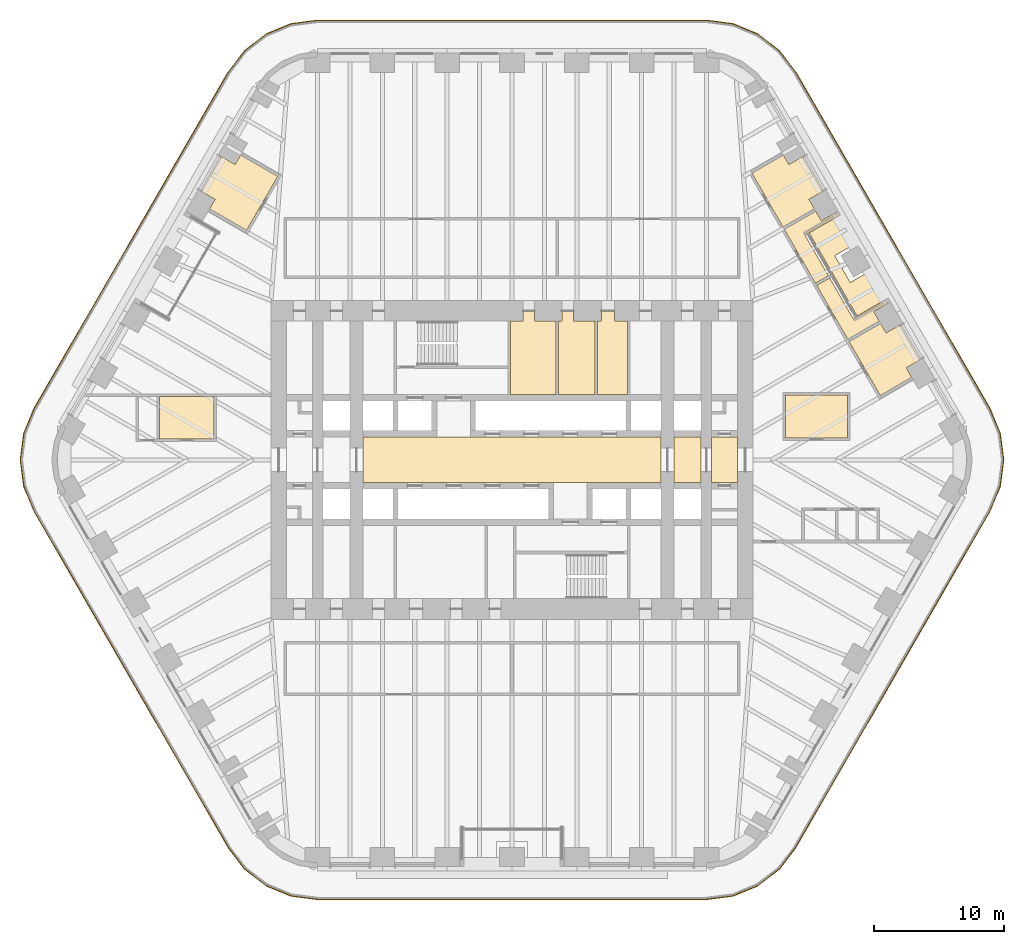
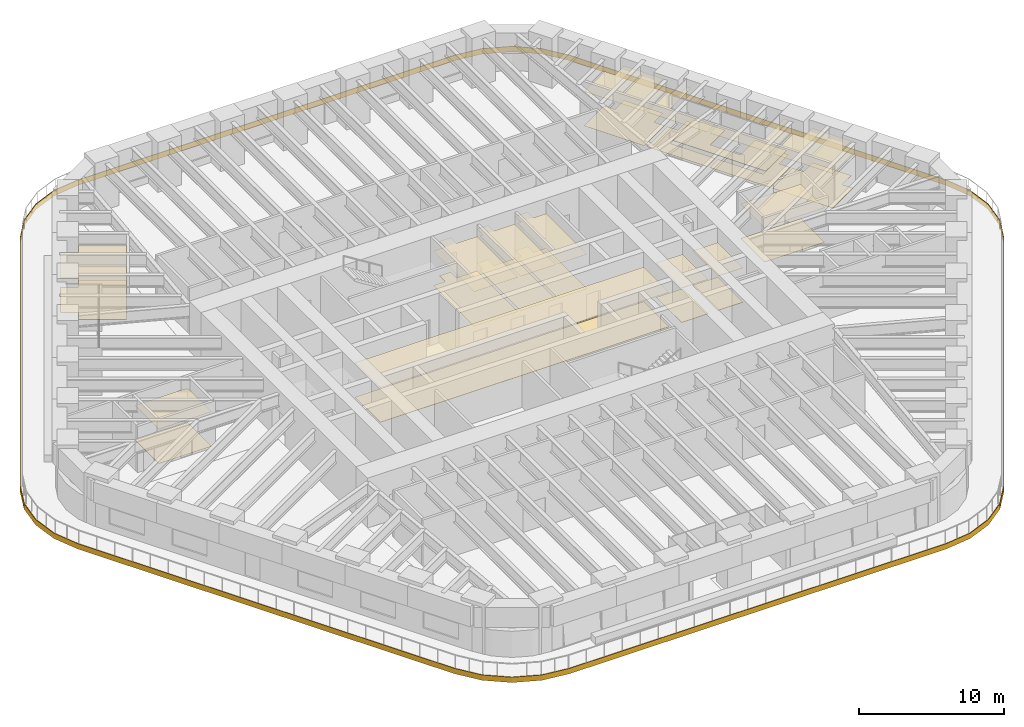
# One storey, part 18 of 19: 16 coverings.
"""IFC4 building model written with IfcOpenShell, lengths in metres."""

from ifc_helpers import new_model, si_unit, direction, frame, origin, place, context, subcontext, project, spatial, polyline, outline, extrude, material, layer, layer_set, type_object, element, save


model = new_model("IFC4")

# Units and contexts
model_context = context("Model", 3, precision=1e-05, world=origin(), true_north=direction((0.0, 1.0)))
body_context = subcontext(model_context, "Body", "Model", "MODEL_VIEW")
ifc_project = project(units=[si_unit("LENGTHUNIT", "METRE"), si_unit("AREAUNIT", "SQUARE_METRE"), si_unit("VOLUMEUNIT", "CUBIC_METRE"), si_unit("PLANEANGLEUNIT", "RADIAN"), si_unit("MASSUNIT", "GRAM", prefix="KILO")], contexts=[model_context])

# Site, building, storey
site_placement = place(None, origin())
site = spatial("IfcSite", under=ifc_project, at=site_placement, CompositionType="ELEMENT")
building_placement = place(site_placement, origin())
building = spatial("IfcBuilding", under=site, at=building_placement, Name="Tarfa Lantern Tower", CompositionType="ELEMENT")
storey_placement = place(building_placement, frame((0.0, 0.0, 199.300048828125)))
storey = spatial("IfcBuildingStorey", under=building, at=storey_placement, Name="L45", CompositionType="ELEMENT", Elevation=199.300048828125)

# Coverings
ifc_material_1 = material(Name="Mineral fibre acoustic tile on suspension grid", Category="finish")
ifc_layer_1 = layer(ifc_material_1, 0.02001953125)
ifc_layer_set_1 = layer_set([ifc_layer_1], Name="CL1 ACOUSTIC TILE CEILING 20")
covering_type_1 = type_object("IfcCoveringType", Name="CL1 ACOUSTIC TILE CEILING 20", PredefinedType="CEILING", material=ifc_layer_set_1)
covering_1_placement = place(storey_placement, frame((0.0, 0.0, 2.89990234375)))
element("IfcCovering", 1, at=covering_1_placement, inside=storey, type_object=covering_type_1, Name="Ceiling L45 CL1", PredefinedType="CEILING", context=body_context, shape_type="SweptSolid", body=[
    extrude(outline(polyline([(26.021240234375, 9.130126953125), (28.446044921875, 10.530029296875), (28.87109375, 9.7939453125), (29.95361328125, 10.4189453125), (31.50537109375, 7.73095703125), (30.4228515625, 7.10595703125), (30.847900390625, 6.369873046875), (28.423095703125, 4.969970703125), (26.021240234375, 9.130126953125)])), origin(), (0.0, 0.0, 1.0), 0.02001953125),
    extrude(outline(polyline([(25.921142578125, 9.30322265625), (23.519287109375, 13.46337890625), (24.51513671875, 14.038330078125), (26.317138671875, 10.91748046875), (28.82861328125, 12.367431640625), (29.003662109375, 12.064453125), (27.9208984375, 11.439453125), (28.345947265625, 10.703369140625), (25.921142578125, 9.30322265625)])), origin(), (0.0, 0.0, 1.0), 0.02001953125),
    extrude(outline(polyline([(21.017333984375, 17.796630859375), (23.4423828125, 19.19677734375), (23.8671875, 18.460693359375), (24.949951171875, 19.085693359375), (25.124755859375, 18.782470703125), (22.61328125, 17.33251953125), (24.415283203125, 14.211669921875), (23.419189453125, 13.63671875), (21.017333984375, 17.796630859375)])), origin(), (0.0, 0.0, 1.0), 0.02001953125),
    extrude(outline(polyline([(18.515625, 22.130126953125), (20.9404296875, 23.530029296875), (21.365478515625, 22.7939453125), (22.447998046875, 23.4189453125), (23.999755859375, 20.73095703125), (22.917236328125, 20.10595703125), (23.34228515625, 19.369873046875), (20.91748046875, 17.969970703125), (18.515625, 22.130126953125)])), origin(), (0.0, 0.0, 1.0), 0.02001953125),
    extrude(outline(polyline([(-20.484375, 17.719970703125), (-23.34228515625, 19.369873046875), (-22.917236328125, 20.10595703125), (-23.999755859375, 20.73095703125), (-22.447998046875, 23.4189453125), (-21.365478515625, 22.7939453125), (-20.9404296875, 23.530029296875), (-18.08251953125, 21.880126953125), (-20.484375, 17.719970703125)])), origin(), (0.0, 0.0, 1.0), 0.02001953125),
    extrude(outline(polyline([(21.10009765625, 5.0), (25.89990234375, 5.0), (25.89990234375, 1.699951171875), (21.10009765625, 1.699951171875), (21.10009765625, 5.0)])), origin(), (0.0, 0.0, 1.0), 0.02001953125),
    extrude(outline(polyline([(-27.216064453125, 1.60009765625), (-27.216064453125, 4.89990234375), (-23.01611328125, 4.89990234375), (-23.01611328125, 1.60009765625), (-27.216064453125, 1.60009765625)])), origin(), (0.0, 0.0, 1.0), 0.02001953125),
])
ifc_material_2 = material(Name="Moisture-resistant plasterboard", Category="finish")
ifc_layer_2 = layer(ifc_material_2, 0.014892578125)
ifc_layer_set_2 = layer_set([ifc_layer_2], Name="CL2 MOISTURE-RESISTANT PLASTERBOARD CEILING 15")
covering_type_2 = type_object("IfcCoveringType", Name="CL2 MOISTURE-RESISTANT PLASTERBOARD CEILING 15", PredefinedType="CEILING", material=ifc_layer_set_2)
covering_2_placement = place(storey_placement, frame((0.0, 0.0, 2.89990234375)))
element("IfcCovering", 2, at=covering_2_placement, inside=storey, type_object=covering_type_2, Name="Ceiling L45-09", PredefinedType="CEILING", context=body_context, shape_type="SweptSolid", body=[
    extrude(outline(polyline([(0.85009765625, 10.699951171875), (-0.10009765625, 10.699951171875), (-0.10009765625, 5.050048828125), (3.39990234375, 5.050048828125), (3.39990234375, 10.699951171875), (1.75, 10.699951171875), (1.75, 11.5), (0.85009765625, 11.5), (0.85009765625, 11.5), (0.85009765625, 10.699951171875)])), origin(), (0.0, 0.0, 1.0), 0.01513671875),
])
covering_3_placement = place(storey_placement, frame((0.0, 0.0, 2.89990234375)))
element("IfcCovering", 3, at=covering_3_placement, inside=storey, type_object=covering_type_2, Name="Ceiling L45-10", PredefinedType="CEILING", context=body_context, shape_type="SweptSolid", body=[
    extrude(outline(polyline([(3.60009765625, 5.050048828125), (6.39990234375, 5.050048828125), (6.39990234375, 10.699951171875), (4.75, 10.699951171875), (4.75, 11.5), (3.85009765625, 11.5), (3.85009765625, 10.699951171875), (3.60009765625, 10.699951171875), (3.60009765625, 5.050048828125)])), origin(), (0.0, 0.0, 1.0), 0.01513671875),
])
covering_4_placement = place(storey_placement, frame((0.0, 0.0, 2.89990234375)))
element("IfcCovering", 4, at=covering_4_placement, inside=storey, type_object=covering_type_2, Name="Ceiling L45-11", PredefinedType="CEILING", context=body_context, shape_type="SweptSolid", body=[
    extrude(outline(polyline([(6.60009765625, 5.050048828125), (8.89990234375, 5.050048828125), (8.89990234375, 10.699951171875), (7.89990234375, 10.699951171875), (7.89990234375, 11.5), (6.89990234375, 11.5), (6.89990234375, 10.699951171875), (6.60009765625, 10.699951171875), (6.60009765625, 5.050048828125)])), origin(), (0.0, 0.0, 1.0), 0.01513671875),
])
ifc_material_3 = material(Name="Powder-coated aluminium panel", Category="aluminium")
ifc_layer_3 = layer(ifc_material_3, 0.030029296875)
ifc_layer_set_3 = layer_set([ifc_layer_3], Name="CL3 METAL PANEL CEILING 30")
covering_type_3 = type_object("IfcCoveringType", Name="CL3 METAL PANEL CEILING 30", PredefinedType="CEILING", material=ifc_layer_set_3)
covering_5_placement = place(storey_placement, frame((0.0, 0.0, 2.89990234375)))
element("IfcCovering", 5, at=covering_5_placement, inside=storey, type_object=covering_type_3, Name="Ceiling L45-03", PredefinedType="CEILING", context=body_context, shape_type="SweptSolid", body=[
    extrude(outline(polyline([(-11.5, -1.75), (11.5, -1.75), (11.5, 1.75), (-11.5, 1.75), (-11.5, -1.75)])), origin(), (0.0, 0.0, 1.0), 0.030029296875),
])
covering_6_placement = place(storey_placement, frame((0.0, 0.0, 2.89990234375)))
element("IfcCovering", 6, at=covering_6_placement, inside=storey, type_object=covering_type_3, Name="Ceiling L45-04", PredefinedType="CEILING", context=body_context, shape_type="SweptSolid", body=[
    extrude(outline(polyline([(12.5, -1.75), (14.60009765625, -1.75), (14.60009765625, 1.75), (12.5, 1.75), (12.5, -1.75)])), origin(), (0.0, 0.0, 1.0), 0.030029296875),
])
covering_7_placement = place(storey_placement, frame((0.0, 0.0, 2.89990234375)))
element("IfcCovering", 7, at=covering_7_placement, inside=storey, type_object=covering_type_3, Name="Ceiling L45-05", PredefinedType="CEILING", context=body_context, shape_type="SweptSolid", body=[
    extrude(outline(polyline([(15.39990234375, -1.75), (17.39990234375, -1.75), (17.39990234375, 1.75), (15.39990234375, 1.75), (15.39990234375, -1.75)])), origin(), (0.0, 0.0, 1.0), 0.030029296875),
])
ifc_material_4 = material(Name="Nylon carpet tile", Category="finish")
ifc_layer_4 = layer(ifc_material_4, 0.010009765625)
ifc_layer_set_4 = layer_set([ifc_layer_4], Name="FL1 CARPET TILE 10")
covering_type_4 = type_object("IfcCoveringType", Name="FL1 CARPET TILE 10", PredefinedType="FLOORING", material=ifc_layer_set_4)
covering_8_placement = place(storey_placement, origin())
element("IfcCovering", 8, at=covering_8_placement, inside=storey, type_object=covering_type_4, Name="Floor finish L45 FL1", PredefinedType="FLOORING", context=body_context, shape_type="SweptSolid", body=[
    extrude(outline(polyline([(26.021240234375, 9.130126953125), (28.446044921875, 10.530029296875), (28.87109375, 9.7939453125), (29.95361328125, 10.4189453125), (31.50537109375, 7.73095703125), (30.4228515625, 7.10595703125), (30.847900390625, 6.369873046875), (28.423095703125, 4.969970703125), (26.021240234375, 9.130126953125)])), origin(), (0.0, 0.0, 1.0), 0.010009765625),
    extrude(outline(polyline([(25.921142578125, 9.30322265625), (23.519287109375, 13.46337890625), (24.51513671875, 14.038330078125), (26.317138671875, 10.91748046875), (28.82861328125, 12.367431640625), (29.003662109375, 12.064453125), (27.9208984375, 11.439453125), (28.345947265625, 10.703369140625), (25.921142578125, 9.30322265625)])), origin(), (0.0, 0.0, 1.0), 0.010009765625),
    extrude(outline(polyline([(21.017333984375, 17.796630859375), (23.4423828125, 19.19677734375), (23.8671875, 18.460693359375), (24.949951171875, 19.085693359375), (25.124755859375, 18.782470703125), (22.61328125, 17.33251953125), (24.415283203125, 14.211669921875), (23.419189453125, 13.63671875), (21.017333984375, 17.796630859375)])), origin(), (0.0, 0.0, 1.0), 0.010009765625),
    extrude(outline(polyline([(18.515625, 22.130126953125), (20.9404296875, 23.530029296875), (21.365478515625, 22.7939453125), (22.447998046875, 23.4189453125), (23.999755859375, 20.73095703125), (22.917236328125, 20.10595703125), (23.34228515625, 19.369873046875), (20.91748046875, 17.969970703125), (18.515625, 22.130126953125)])), origin(), (0.0, 0.0, 1.0), 0.010009765625),
    extrude(outline(polyline([(-20.484375, 17.719970703125), (-23.34228515625, 19.369873046875), (-22.917236328125, 20.10595703125), (-23.999755859375, 20.73095703125), (-22.447998046875, 23.4189453125), (-21.365478515625, 22.7939453125), (-20.9404296875, 23.530029296875), (-18.08251953125, 21.880126953125), (-20.484375, 17.719970703125)])), origin(), (0.0, 0.0, 1.0), 0.010009765625),
    extrude(outline(polyline([(21.10009765625, 5.0), (25.89990234375, 5.0), (25.89990234375, 1.699951171875), (21.10009765625, 1.699951171875), (21.10009765625, 5.0)])), origin(), (0.0, 0.0, 1.0), 0.010009765625),
    extrude(outline(polyline([(-27.216064453125, 1.60009765625), (-27.216064453125, 4.89990234375), (-23.01611328125, 4.89990234375), (-23.01611328125, 1.60009765625), (-27.216064453125, 1.60009765625)])), origin(), (0.0, 0.0, 1.0), 0.010009765625),
])
ifc_material_5 = material(Name="Honed limestone flooring", Category="masonry")
ifc_layer_5 = layer(ifc_material_5, 0.030029296875)
ifc_layer_set_5 = layer_set([ifc_layer_5], Name="FL2 STONE FLOORING 30")
covering_type_5 = type_object("IfcCoveringType", Name="FL2 STONE FLOORING 30", PredefinedType="FLOORING", material=ifc_layer_set_5)
covering_9_placement = place(storey_placement, origin())
element("IfcCovering", 9, at=covering_9_placement, inside=storey, type_object=covering_type_5, Name="Floor finish L45-03", PredefinedType="FLOORING", context=body_context, shape_type="SweptSolid", body=[
    extrude(outline(polyline([(-11.5, -1.75), (11.5, -1.75), (11.5, 1.75), (-11.5, 1.75), (-11.5, -1.75)])), origin(), (0.0, 0.0, 1.0), 0.030029296875),
])
covering_10_placement = place(storey_placement, origin())
element("IfcCovering", 10, at=covering_10_placement, inside=storey, type_object=covering_type_5, Name="Floor finish L45-04", PredefinedType="FLOORING", context=body_context, shape_type="SweptSolid", body=[
    extrude(outline(polyline([(12.5, -1.75), (14.60009765625, -1.75), (14.60009765625, 1.75), (12.5, 1.75), (12.5, -1.75)])), origin(), (0.0, 0.0, 1.0), 0.030029296875),
])
covering_11_placement = place(storey_placement, origin())
element("IfcCovering", 11, at=covering_11_placement, inside=storey, type_object=covering_type_5, Name="Floor finish L45-05", PredefinedType="FLOORING", context=body_context, shape_type="SweptSolid", body=[
    extrude(outline(polyline([(15.39990234375, -1.75), (17.39990234375, -1.75), (17.39990234375, 1.75), (15.39990234375, 1.75), (15.39990234375, -1.75)])), origin(), (0.0, 0.0, 1.0), 0.030029296875),
])
ifc_material_6 = material(Name="Porcelain floor tile", Category="finish")
ifc_layer_6 = layer(ifc_material_6, 0.011962890625)
ifc_layer_set_6 = layer_set([ifc_layer_6], Name="FL3 CERAMIC TILE 12")
covering_type_6 = type_object("IfcCoveringType", Name="FL3 CERAMIC TILE 12", PredefinedType="FLOORING", material=ifc_layer_set_6)
covering_12_placement = place(storey_placement, origin())
element("IfcCovering", 12, at=covering_12_placement, inside=storey, type_object=covering_type_6, Name="Floor finish L45-09", PredefinedType="FLOORING", context=body_context, shape_type="SweptSolid", body=[
    extrude(outline(polyline([(0.85009765625, 10.699951171875), (-0.10009765625, 10.699951171875), (-0.10009765625, 5.050048828125), (3.39990234375, 5.050048828125), (3.39990234375, 10.699951171875), (1.75, 10.699951171875), (1.75, 11.5), (0.85009765625, 11.5), (0.85009765625, 11.5), (0.85009765625, 10.699951171875)])), origin(), (0.0, 0.0, 1.0), 0.011962890625),
])
covering_13_placement = place(storey_placement, origin())
element("IfcCovering", 13, at=covering_13_placement, inside=storey, type_object=covering_type_6, Name="Floor finish L45-10", PredefinedType="FLOORING", context=body_context, shape_type="SweptSolid", body=[
    extrude(outline(polyline([(3.60009765625, 5.050048828125), (6.39990234375, 5.050048828125), (6.39990234375, 10.699951171875), (4.75, 10.699951171875), (4.75, 11.5), (3.85009765625, 11.5), (3.85009765625, 10.699951171875), (3.60009765625, 10.699951171875), (3.60009765625, 5.050048828125)])), origin(), (0.0, 0.0, 1.0), 0.011962890625),
])
covering_14_placement = place(storey_placement, origin())
element("IfcCovering", 14, at=covering_14_placement, inside=storey, type_object=covering_type_6, Name="Floor finish L45-11", PredefinedType="FLOORING", context=body_context, shape_type="SweptSolid", body=[
    extrude(outline(polyline([(6.60009765625, 5.050048828125), (8.89990234375, 5.050048828125), (8.89990234375, 10.699951171875), (7.89990234375, 10.699951171875), (7.89990234375, 11.5), (6.89990234375, 11.5), (6.89990234375, 10.699951171875), (6.60009765625, 10.699951171875), (6.60009765625, 5.050048828125)])), origin(), (0.0, 0.0, 1.0), 0.011962890625),
])
ifc_material_7 = material(Name="Porcelain pavers on pedestals", Category="ceramic")
ifc_layer_7 = layer(ifc_material_7, 0.0400390625)
ifc_layer_set_7 = layer_set([ifc_layer_7], Name="LP1 LOGGIA PAVING 40")
covering_type_7 = type_object("IfcCoveringType", Name="LP1 LOGGIA PAVING 40", PredefinedType="FLOORING", material=ifc_layer_set_7)
covering_15_placement = place(storey_placement, origin())
element("IfcCovering", 15, at=covering_15_placement, inside=storey, type_object=covering_type_7, Name="Loggia paving NE", PredefinedType="FLOORING", context=body_context, shape_type="SweptSolid", body=[
    extrude(outline(polyline([(29.131591796875, 12.54248046875), (26.637451171875, 11.1025390625), (22.933837890625, 17.517578125), (25.427978515625, 18.95751953125), (26.6796875, 16.789306640625), (24.904541015625, 15.76416015625), (26.1044921875, 13.685791015625), (27.8798828125, 14.710693359375), (29.131591796875, 12.54248046875)])), origin(), (0.0, 0.0, 1.0), 0.0400390625),
])
ifc_material_8 = material(Name="Limestone cladding on brackets", Category="masonry")
ifc_layer_8 = layer(ifc_material_8, 0.050048828125)
ifc_layer_set_8 = layer_set([ifc_layer_8], Name="SB1 STONE BAND CLADDING 50")
covering_type_8 = type_object("IfcCoveringType", Name="SB1 STONE BAND CLADDING 50", PredefinedType="CLADDING", material=ifc_layer_set_8)
covering_16_placement = place(storey_placement, frame((0.0, 0.0, -0.400146484375)))
element("IfcCovering", 16, at=covering_16_placement, inside=storey, type_object=covering_type_8, Name="Stone band", PredefinedType="CLADDING", context=body_context, shape_type="SweptSolid", body=[
    extrude(outline(polyline([(36.9072265625, 3.97509765625), (21.89599609375, 29.97509765625), (20.632568359375, 31.62158203125), (18.986083984375, 32.885009765625), (17.068603515625, 33.67919921875), (15.010986328125, 33.949951171875), (-15.010986328125, 33.949951171875), (-17.068603515625, 33.67919921875), (-18.986083984375, 32.885009765625), (-20.632568359375, 31.62158203125), (-21.89599609375, 29.97509765625), (-36.9072265625, 3.97509765625), (-37.701416015625, 2.0576171875), (-37.97216796875, 0.0), (-37.701416015625, -2.0576171875), (-36.9072265625, -3.97509765625), (-21.89599609375, -29.97509765625), (-20.632568359375, -31.62158203125), (-18.986083984375, -32.885009765625), (-17.068603515625, -33.67919921875), (-15.010986328125, -33.949951171875), (15.010986328125, -33.949951171875), (17.068603515625, -33.67919921875), (18.986083984375, -32.885009765625), (20.632568359375, -31.62158203125), (21.89599609375, -29.97509765625), (36.9072265625, -3.97509765625), (37.701416015625, -2.0576171875), (37.97216796875, 0.0), (37.701416015625, 2.0576171875), (36.9072265625, 3.97509765625)]), holes=[polyline([(36.86376953125, 3.949951171875), (21.852783203125, 29.949951171875), (20.59716796875, 31.586181640625), (18.961181640625, 32.841552734375), (17.0556640625, 33.630859375), (15.010986328125, 33.89990234375), (-15.010986328125, 33.89990234375), (-17.0556640625, 33.630859375), (-18.961181640625, 32.841552734375), (-20.59716796875, 31.586181640625), (-21.852783203125, 29.949951171875), (-36.86376953125, 3.949951171875), (-37.653076171875, 2.044677734375), (-37.922119140625, 0.0), (-37.653076171875, -2.044677734375), (-36.86376953125, -3.949951171875), (-21.852783203125, -29.949951171875), (-20.59716796875, -31.586181640625), (-18.961181640625, -32.841552734375), (-17.0556640625, -33.630859375), (-15.010986328125, -33.89990234375), (15.010986328125, -33.89990234375), (17.0556640625, -33.630859375), (18.961181640625, -32.841552734375), (20.59716796875, -31.586181640625), (21.852783203125, -29.949951171875), (36.86376953125, -3.949951171875), (37.653076171875, -2.044677734375), (37.922119140625, 0.0), (37.653076171875, 2.044677734375), (36.86376953125, 3.949951171875)])]), origin(), (0.0, 0.0, 1.0), 0.4501953125),
])

save(model, "model.ifc")
